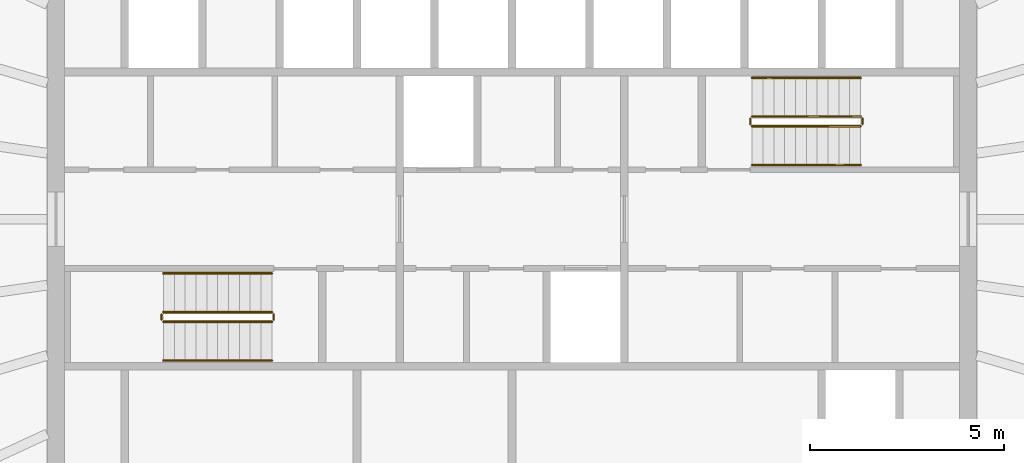
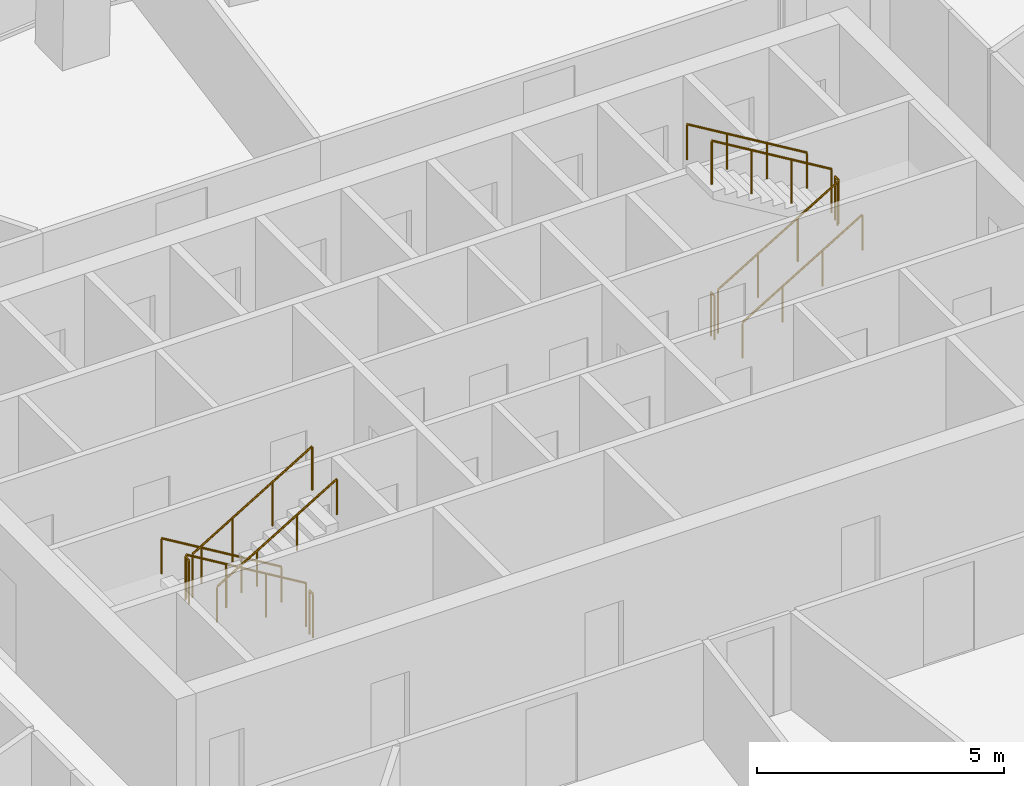
# One storey, part 11 of 11: 12 railings.
"""IFC4 building model written with IfcOpenShell, lengths in metres."""

import ifcopenshell
import ifcopenshell.guid

model = None  # the IFC model being written
_history = None  # IfcOwnerHistory: only IFC2X3 demands one
_inside = {}  # id of a spatial element -> (the spatial element, [elements in it])
_under = {}  # id of a project, library or spatial element -> (it, [spatial elements below it])
_declared = {}  # id of a project -> (the project, [libraries it declares])
_typed = {}  # id of a type object -> (the type object, [elements of that type])
_made_of = {}  # id of a material, layer set ... -> (it, [elements and type objects made of it])


def new_model(schema):
    """Start an empty IFC model of exactly this schema.

    Asked for "IFC4X3", IfcOpenShell would pick the latest addendum, in which some entities
    have other attributes; the version numbers below select the first issue.
    IFC2X3 requires an IfcOwnerHistory on every rooted entity: one is made here for all.
    """
    global model, _history
    if schema == "IFC4X3":
        model = ifcopenshell.file(schema_version=(4, 3, 0, 0))
    else:
        model = ifcopenshell.file(schema=schema)
    _inside.clear()
    _under.clear()
    _declared.clear()
    _typed.clear()
    _made_of.clear()
    _history = None
    if model.schema == "IFC2X3":
        org = make("IfcOrganization", Name="unknown")
        user = make(
            "IfcPersonAndOrganization",
            ThePerson=make("IfcPerson", FamilyName="unknown"),
            TheOrganization=org,
        )
        app = make(
            "IfcApplication",
            ApplicationDeveloper=org,
            Version="unknown",
            ApplicationFullName="unknown",
            ApplicationIdentifier="unknown",
        )
        _history = make(
            "IfcOwnerHistory",
            OwningUser=user,
            OwningApplication=app,
            ChangeAction="ADDED",
            CreationDate=0,
        )
    return model


def make(cls, **values):
    """One entity of the class cls with the attributes given. An attribute that is None is left unset."""
    return model.create_entity(
        cls, **{name: value for name, value in values.items() if value is not None}
    )


def rooted(cls, **values):
    """An entity with a GlobalId (a new one), such as an element, a storey or a relation."""
    return make(cls, GlobalId=ifcopenshell.guid.new(), OwnerHistory=_history, **values)


def si_unit(unit_type, name, prefix=None):
    """IfcSIUnit, for example si_unit("LENGTHUNIT", "METRE", prefix="MILLI")."""
    return make("IfcSIUnit", UnitType=unit_type, Prefix=prefix, Name=name)


def assignment(units):
    """IfcUnitAssignment: the units of a project."""
    return None if units is None else make("IfcUnitAssignment", Units=units)


def point(xyz):
    """IfcCartesianPoint."""
    return None if xyz is None else make("IfcCartesianPoint", Coordinates=xyz)


def direction(xyz):
    """IfcDirection."""
    return None if xyz is None else make("IfcDirection", DirectionRatios=xyz)


def frame(location, z_axis=None, x_axis=None):
    """IfcAxis2Placement3D, a coordinate frame: its origin and axes. An axis left out is left unset."""
    return make(
        "IfcAxis2Placement3D",
        Location=point(location),
        Axis=direction(z_axis),
        RefDirection=direction(x_axis),
    )


def frame_2d(location, x_axis=None):
    """IfcAxis2Placement2D, a coordinate frame in the plane: its origin and x axis."""
    return make(
        "IfcAxis2Placement2D", Location=point(location), RefDirection=direction(x_axis)
    )


def origin():
    """The frame at (0, 0, 0) with its axes left unset."""
    return frame((0.0, 0.0, 0.0))


def origin_2d():
    """The frame at (0, 0) in the plane with its x axis left unset."""
    return frame_2d((0.0, 0.0))


def place(relative_to, where):
    """IfcLocalPlacement: puts the frame where relative to a parent placement (None: the world)."""
    return make(
        "IfcLocalPlacement", PlacementRelTo=relative_to, RelativePlacement=where
    )


def context(
    kind, dimensions, precision=None, world=None, true_north=None, identifier=None
):
    """IfcGeometricRepresentationContext, for example the 3D "Model" context."""
    return make(
        "IfcGeometricRepresentationContext",
        ContextIdentifier=identifier,
        ContextType=kind,
        CoordinateSpaceDimension=dimensions,
        Precision=precision,
        WorldCoordinateSystem=world,
        TrueNorth=true_north,
    )


def subcontext(parent, identifier, kind, view, scale=None):
    """IfcGeometricRepresentationSubContext, for example "Body" below "Model"."""
    return make(
        "IfcGeometricRepresentationSubContext",
        ContextIdentifier=identifier,
        ContextType=kind,
        ParentContext=parent,
        TargetScale=scale,
        TargetView=view,
    )


def project(units=None, contexts=None):
    """IfcProject with its units and contexts."""
    return rooted(
        "IfcProject",
        Name="project",
        RepresentationContexts=contexts,
        UnitsInContext=assignment(units),
    )


def spatial(cls, under=None, at=None, **own):
    """A site, building, storey or space (cls), placed at a placement, below another one or the project."""
    s = rooted(cls, ObjectPlacement=at, **own)
    if under is not None:
        _under.setdefault(under.id(), (under, []))[1].append(s)
    return s


def profile(cls, at=None, kind="AREA", **sizes):
    """A parametric profile (cls). Its sizes go by their IFC names, for example OverallWidth=200.0."""
    return make(cls, ProfileType=kind, Position=at, **sizes)


def circle(**sizes):
    """IfcCircleProfileDef."""
    return profile("IfcCircleProfileDef", **sizes)


def extrude(swept, where, along, depth):
    """IfcExtrudedAreaSolid: the profile swept, set in the frame where, extruded along a direction by depth."""
    return make(
        "IfcExtrudedAreaSolid",
        SweptArea=swept,
        Position=where,
        ExtrudedDirection=direction(along),
        Depth=depth,
    )


def shape(context_of_items, identifier, shape_type, items):
    """IfcShapeRepresentation: the items that make up one representation, for example the "Body"."""
    return make(
        "IfcShapeRepresentation",
        ContextOfItems=context_of_items,
        RepresentationIdentifier=identifier,
        RepresentationType=shape_type,
        Items=items,
    )


def material(Name=None, Category=None):
    """IfcMaterial."""
    return make("IfcMaterial", Name=Name, Category=Category)


def made_of(thing, what):
    """Note that an element or type object is made of a material, layer set ...; save() writes the relation."""
    if what is not None:
        _made_of.setdefault(what.id(), (what, []))[1].append(thing)
    return thing


def type_object(cls, material=None, **own):
    """A type object (cls), such as IfcWallType, which elements share."""
    return made_of(rooted(cls, **own), material)


def element(
    cls,
    number,
    at=None,
    inside=None,
    cuts=None,
    type_object=None,
    material=None,
    context=None,
    identifier="Body",
    shape_type=None,
    held_by="IfcProductDefinitionShape",
    body=None,
    shapes=None,
    **own,
):
    """One element of the class cls, such as IfcWall. Its Tag is "e" and its number.

    at: its placement. inside: the storey or other place that contains it. cuts: it is an
    opening in that element (IfcRelVoidsElement). A single representation is given by context,
    identifier, shape_type and body (its items); several are given by shapes. held_by: the class
    of the entity that holds the representations. save() writes the other relations.
    """
    e = rooted(cls, Tag="e%d" % number, ObjectPlacement=at, **own)
    if body is not None:
        shapes = [shape(context, identifier, shape_type, body)]
    if shapes is not None:
        e.Representation = make(held_by, Representations=shapes)
    if inside is not None:
        _inside.setdefault(inside.id(), (inside, []))[1].append(e)
    if cuts is not None:
        rooted(
            "IfcRelVoidsElement", RelatingBuildingElement=cuts, RelatedOpeningElement=e
        )
    if type_object is not None:
        _typed.setdefault(type_object.id(), (type_object, []))[1].append(e)
    return made_of(e, material)


def aggregate(whole, parts):
    """IfcRelAggregates: a whole, such as a stair, and the parts it consists of."""
    return rooted("IfcRelAggregates", RelatingObject=whole, RelatedObjects=parts)


def save(model, path):
    """Write the relations noted so far, then the file.

    IfcRelAggregates (storeys below a building ...), IfcRelContainedInSpatialStructure (elements
    in a storey), IfcRelDefinesByType, IfcRelAssociatesMaterial and IfcRelDeclares: one each for
    every whole, place, type object, material and project.
    """
    for whole, parts in _under.values():
        aggregate(whole, parts)
    for where, things in _inside.values():
        rooted(
            "IfcRelContainedInSpatialStructure",
            RelatedElements=things,
            RelatingStructure=where,
        )
    for kind, things in _typed.values():
        rooted("IfcRelDefinesByType", RelatedObjects=things, RelatingType=kind)
    for what, things in _made_of.values():
        rooted("IfcRelAssociatesMaterial", RelatedObjects=things, RelatingMaterial=what)
    for by, libraries in _declared.values():
        rooted("IfcRelDeclares", RelatingContext=by, RelatedDefinitions=libraries)
    model.write(path)


model = new_model("IFC4")

# Units and contexts
model_context = context("Model", 3, precision=1e-05, world=origin(), true_north=direction((0.0, 1.0)))
body_context = subcontext(model_context, "Body", "Model", "MODEL_VIEW")
ifc_project = project(units=[si_unit("LENGTHUNIT", "METRE"), si_unit("AREAUNIT", "SQUARE_METRE"), si_unit("VOLUMEUNIT", "CUBIC_METRE"), si_unit("PLANEANGLEUNIT", "RADIAN"), si_unit("MASSUNIT", "GRAM", prefix="KILO")], contexts=[model_context])

# Site, building, storey
site_placement = place(None, origin())
site = spatial("IfcSite", under=ifc_project, at=site_placement, CompositionType="ELEMENT")
building_placement = place(site_placement, origin())
building = spatial("IfcBuilding", under=site, at=building_placement, Name="Siaravel Broadcast Tower", CompositionType="ELEMENT")
storey_placement = place(building_placement, frame((0.0, 0.0, 186.699951171875)))
storey = spatial("IfcBuildingStorey", under=building, at=storey_placement, Name="L45", CompositionType="ELEMENT", Elevation=186.699951171875)

# Railings
ifc_material = material(Name="Stainless steel 316L", Category="steel")
railing_type_1 = type_object("IfcRailingType", Name="Stair guard 1100", PredefinedType="GUARDRAIL", material=ifc_material)
railing_1_placement = place(storey_placement, frame((-6.199951171875, -2.39990234375, 0.168212890625)))
element("IfcRailing", 1, at=railing_1_placement, inside=storey, type_object=railing_type_1, Name="L45 ST-1 stair guard 1", PredefinedType="GUARDRAIL", context=body_context, shape_type="SweptSolid", body=[
    extrude(circle(Radius=0.02392578125, at=origin_2d()), frame((0.0, 0.0, 1.076171875), z_axis=(-0.857242211, 0.0, 0.514913383), x_axis=(0.0, -1.0, 0.0)), (0.0, 0.0, 1.0), 3.266357421875),
    extrude(circle(Radius=0.02099609375, at=origin_2d()), origin(), (0.0, 0.0, 1.0), 1.052001953125),
    extrude(circle(Radius=0.02099609375, at=origin_2d()), frame((-0.933349609375, 0.0, 0.560546875)), (0.0, 0.0, 1.0), 1.052001953125),
    extrude(circle(Radius=0.02099609375, at=origin_2d()), frame((-1.86669921875, 0.0, 1.121337890625)), (0.0, 0.0, 1.0), 1.052001953125),
    extrude(circle(Radius=0.02099609375, at=origin_2d()), frame((-2.800048828125, 0.0, 1.681884765625)), (0.0, 0.0, 1.0), 1.052001953125),
])
railing_2_placement = place(storey_placement, frame((-9.050048828125, -2.449951171875, 1.85009765625)))
element("IfcRailing", 2, at=railing_2_placement, inside=storey, type_object=railing_type_1, Name="L45 ST-1 stair guard 2", PredefinedType="GUARDRAIL", context=body_context, shape_type="SweptSolid", body=[
    extrude(circle(Radius=0.02392578125, at=origin_2d()), frame((0.0, 0.0, 1.076171875), z_axis=(0.0, -1.0, 0.0), x_axis=(1.0, 0.0, 0.0)), (0.0, 0.0, 1.0), 0.150146484375),
    extrude(circle(Radius=0.02099609375, at=origin_2d()), origin(), (0.0, 0.0, 1.0), 1.052001953125),
    extrude(circle(Radius=0.02099609375, at=origin_2d()), frame((0.0, -0.150146484375, 0.0)), (0.0, 0.0, 1.0), 1.052001953125),
])
railing_3_placement = place(storey_placement, frame((-9.0, -2.64990234375, 2.018310546875)))
element("IfcRailing", 3, at=railing_3_placement, inside=storey, type_object=railing_type_1, Name="L45 ST-1 stair guard 3", PredefinedType="GUARDRAIL", context=body_context, shape_type="SweptSolid", body=[
    extrude(circle(Radius=0.02392578125, at=origin_2d()), frame((0.0, 0.0, 1.076171875), z_axis=(0.857275203, 0.0, 0.514858453), x_axis=(0.0, 1.0, 0.0)), (0.0, 0.0, 1.0), 3.26611328125),
    extrude(circle(Radius=0.02099609375, at=origin_2d()), origin(), (0.0, 0.0, 1.0), 1.052001953125),
    extrude(circle(Radius=0.02099609375, at=origin_2d()), frame((0.933349609375, 0.0, 0.560546875)), (0.0, 0.0, 1.0), 1.052001953125),
    extrude(circle(Radius=0.02099609375, at=origin_2d()), frame((1.86669921875, 0.0, 1.12109375)), (0.0, 0.0, 1.0), 1.052001953125),
    extrude(circle(Radius=0.02099609375, at=origin_2d()), frame((2.800048828125, 0.0, 1.681640625)), (0.0, 0.0, 1.0), 1.052001953125),
])
railing_4_placement = place(storey_placement, frame((-6.14990234375, -2.449951171875, 0.0)))
element("IfcRailing", 4, at=railing_4_placement, inside=storey, type_object=railing_type_1, Name="L45 ST-1 stair guard 4", PredefinedType="GUARDRAIL", context=body_context, shape_type="SweptSolid", body=[
    extrude(circle(Radius=0.02392578125, at=origin_2d()), frame((0.0, 0.0, 1.076171875), z_axis=(0.0, -1.0, 0.0), x_axis=(1.0, 0.0, 0.0)), (0.0, 0.0, 1.0), 0.150146484375),
    extrude(circle(Radius=0.02099609375, at=origin_2d()), origin(), (0.0, 0.0, 1.0), 1.052001953125),
    extrude(circle(Radius=0.02099609375, at=origin_2d()), frame((0.0, -0.150146484375, 0.0)), (0.0, 0.0, 1.0), 1.052001953125),
])
railing_5_placement = place(storey_placement, frame((6.199951171875, 2.39990234375, 0.168212890625)))
element("IfcRailing", 5, at=railing_5_placement, inside=storey, type_object=railing_type_1, Name="L45 ST-2 stair guard 1", PredefinedType="GUARDRAIL", context=body_context, shape_type="SweptSolid", body=[
    extrude(circle(Radius=0.02392578125, at=origin_2d()), frame((0.0, 0.0, 1.076171875), z_axis=(0.857242211, 0.0, 0.514913383), x_axis=(0.0, 1.0, 0.0)), (0.0, 0.0, 1.0), 3.266357421875),
    extrude(circle(Radius=0.02099609375, at=origin_2d()), origin(), (0.0, 0.0, 1.0), 1.052001953125),
    extrude(circle(Radius=0.02099609375, at=origin_2d()), frame((0.933349609375, 0.0, 0.560546875)), (0.0, 0.0, 1.0), 1.052001953125),
    extrude(circle(Radius=0.02099609375, at=origin_2d()), frame((1.86669921875, 0.0, 1.121337890625)), (0.0, 0.0, 1.0), 1.052001953125),
    extrude(circle(Radius=0.02099609375, at=origin_2d()), frame((2.800048828125, 0.0, 1.681884765625)), (0.0, 0.0, 1.0), 1.052001953125),
])
railing_6_placement = place(storey_placement, frame((9.050048828125, 2.449951171875, 1.85009765625)))
element("IfcRailing", 6, at=railing_6_placement, inside=storey, type_object=railing_type_1, Name="L45 ST-2 stair guard 2", PredefinedType="GUARDRAIL", context=body_context, shape_type="SweptSolid", body=[
    extrude(circle(Radius=0.02392578125, at=origin_2d()), frame((0.0, 0.0, 1.076171875), z_axis=(0.0, 1.0, 0.0), x_axis=(-1.0, 0.0, 0.0)), (0.0, 0.0, 1.0), 0.150146484375),
    extrude(circle(Radius=0.02099609375, at=origin_2d()), origin(), (0.0, 0.0, 1.0), 1.052001953125),
    extrude(circle(Radius=0.02099609375, at=origin_2d()), frame((0.0, 0.150146484375, 0.0)), (0.0, 0.0, 1.0), 1.052001953125),
])
railing_7_placement = place(storey_placement, frame((9.0, 2.64990234375, 2.018310546875)))
element("IfcRailing", 7, at=railing_7_placement, inside=storey, type_object=railing_type_1, Name="L45 ST-2 stair guard 3", PredefinedType="GUARDRAIL", context=body_context, shape_type="SweptSolid", body=[
    extrude(circle(Radius=0.02392578125, at=origin_2d()), frame((0.0, 0.0, 1.076171875), z_axis=(-0.857275203, 0.0, 0.514858453), x_axis=(0.0, -1.0, 0.0)), (0.0, 0.0, 1.0), 3.26611328125),
    extrude(circle(Radius=0.02099609375, at=origin_2d()), origin(), (0.0, 0.0, 1.0), 1.052001953125),
    extrude(circle(Radius=0.02099609375, at=origin_2d()), frame((-0.933349609375, 0.0, 0.560546875)), (0.0, 0.0, 1.0), 1.052001953125),
    extrude(circle(Radius=0.02099609375, at=origin_2d()), frame((-1.86669921875, 0.0, 1.12109375)), (0.0, 0.0, 1.0), 1.052001953125),
    extrude(circle(Radius=0.02099609375, at=origin_2d()), frame((-2.800048828125, 0.0, 1.681640625)), (0.0, 0.0, 1.0), 1.052001953125),
])
railing_8_placement = place(storey_placement, frame((6.14990234375, 2.449951171875, 0.0)))
element("IfcRailing", 8, at=railing_8_placement, inside=storey, type_object=railing_type_1, Name="L45 ST-2 stair guard 4", PredefinedType="GUARDRAIL", context=body_context, shape_type="SweptSolid", body=[
    extrude(circle(Radius=0.02392578125, at=origin_2d()), frame((0.0, 0.0, 1.076171875), z_axis=(0.0, 1.0, 0.0), x_axis=(-1.0, 0.0, 0.0)), (0.0, 0.0, 1.0), 0.150146484375),
    extrude(circle(Radius=0.02099609375, at=origin_2d()), origin(), (0.0, 0.0, 1.0), 1.052001953125),
    extrude(circle(Radius=0.02099609375, at=origin_2d()), frame((0.0, 0.150146484375, 0.0)), (0.0, 0.0, 1.0), 1.052001953125),
])
railing_type_2 = type_object("IfcRailingType", Name="Stair handrail 900", PredefinedType="HANDRAIL", material=ifc_material)
railing_9_placement = place(storey_placement, frame((-6.199951171875, -1.39990234375, 0.168212890625)))
element("IfcRailing", 9, at=railing_9_placement, inside=storey, type_object=railing_type_2, Name="L45 ST-1 stair handrail 1", PredefinedType="HANDRAIL", context=body_context, shape_type="SweptSolid", body=[
    extrude(circle(Radius=0.02392578125, at=origin_2d()), frame((0.0, 0.0, 0.8759765625), z_axis=(-0.857242211, 0.0, 0.514913383), x_axis=(0.0, -1.0, 0.0)), (0.0, 0.0, 1.0), 3.266357421875),
    extrude(circle(Radius=0.02099609375, at=origin_2d()), origin(), (0.0, 0.0, 1.0), 0.851806640625),
    extrude(circle(Radius=0.02099609375, at=origin_2d()), frame((-0.933349609375, 0.0, 0.560546875)), (0.0, 0.0, 1.0), 0.851806640625),
    extrude(circle(Radius=0.02099609375, at=origin_2d()), frame((-1.86669921875, 0.0, 1.121337890625)), (0.0, 0.0, 1.0), 0.851806640625),
    extrude(circle(Radius=0.02099609375, at=origin_2d()), frame((-2.800048828125, 0.0, 1.681884765625)), (0.0, 0.0, 1.0), 0.851806640625),
])
railing_10_placement = place(storey_placement, frame((-9.0, -3.64990234375, 2.018310546875)))
element("IfcRailing", 10, at=railing_10_placement, inside=storey, type_object=railing_type_2, Name="L45 ST-1 stair handrail 2", PredefinedType="HANDRAIL", context=body_context, shape_type="SweptSolid", body=[
    extrude(circle(Radius=0.02392578125, at=origin_2d()), frame((0.0, 0.0, 0.8759765625), z_axis=(0.857275203, 0.0, 0.514858453), x_axis=(0.0, 1.0, 0.0)), (0.0, 0.0, 1.0), 3.26611328125),
    extrude(circle(Radius=0.02099609375, at=origin_2d()), origin(), (0.0, 0.0, 1.0), 0.851806640625),
    extrude(circle(Radius=0.02099609375, at=origin_2d()), frame((0.933349609375, 0.0, 0.560546875)), (0.0, 0.0, 1.0), 0.851806640625),
    extrude(circle(Radius=0.02099609375, at=origin_2d()), frame((1.86669921875, 0.0, 1.12109375)), (0.0, 0.0, 1.0), 0.851806640625),
    extrude(circle(Radius=0.02099609375, at=origin_2d()), frame((2.800048828125, 0.0, 1.681640625)), (0.0, 0.0, 1.0), 0.851806640625),
])
railing_11_placement = place(storey_placement, frame((6.199951171875, 1.39990234375, 0.168212890625)))
element("IfcRailing", 11, at=railing_11_placement, inside=storey, type_object=railing_type_2, Name="L45 ST-2 stair handrail 1", PredefinedType="HANDRAIL", context=body_context, shape_type="SweptSolid", body=[
    extrude(circle(Radius=0.02392578125, at=origin_2d()), frame((0.0, 0.0, 0.8759765625), z_axis=(0.857242211, 0.0, 0.514913383), x_axis=(0.0, 1.0, 0.0)), (0.0, 0.0, 1.0), 3.266357421875),
    extrude(circle(Radius=0.02099609375, at=origin_2d()), origin(), (0.0, 0.0, 1.0), 0.851806640625),
    extrude(circle(Radius=0.02099609375, at=origin_2d()), frame((0.933349609375, 0.0, 0.560546875)), (0.0, 0.0, 1.0), 0.851806640625),
    extrude(circle(Radius=0.02099609375, at=origin_2d()), frame((1.86669921875, 0.0, 1.121337890625)), (0.0, 0.0, 1.0), 0.851806640625),
    extrude(circle(Radius=0.02099609375, at=origin_2d()), frame((2.800048828125, 0.0, 1.681884765625)), (0.0, 0.0, 1.0), 0.851806640625),
])
railing_12_placement = place(storey_placement, frame((9.0, 3.64990234375, 2.018310546875)))
element("IfcRailing", 12, at=railing_12_placement, inside=storey, type_object=railing_type_2, Name="L45 ST-2 stair handrail 2", PredefinedType="HANDRAIL", context=body_context, shape_type="SweptSolid", body=[
    extrude(circle(Radius=0.02392578125, at=origin_2d()), frame((0.0, 0.0, 0.8759765625), z_axis=(-0.857275203, 0.0, 0.514858453), x_axis=(0.0, -1.0, 0.0)), (0.0, 0.0, 1.0), 3.26611328125),
    extrude(circle(Radius=0.02099609375, at=origin_2d()), origin(), (0.0, 0.0, 1.0), 0.851806640625),
    extrude(circle(Radius=0.02099609375, at=origin_2d()), frame((-0.933349609375, 0.0, 0.560546875)), (0.0, 0.0, 1.0), 0.851806640625),
    extrude(circle(Radius=0.02099609375, at=origin_2d()), frame((-1.86669921875, 0.0, 1.12109375)), (0.0, 0.0, 1.0), 0.851806640625),
    extrude(circle(Radius=0.02099609375, at=origin_2d()), frame((-2.800048828125, 0.0, 1.681640625)), (0.0, 0.0, 1.0), 0.851806640625),
])

save(model, "model.ifc")
